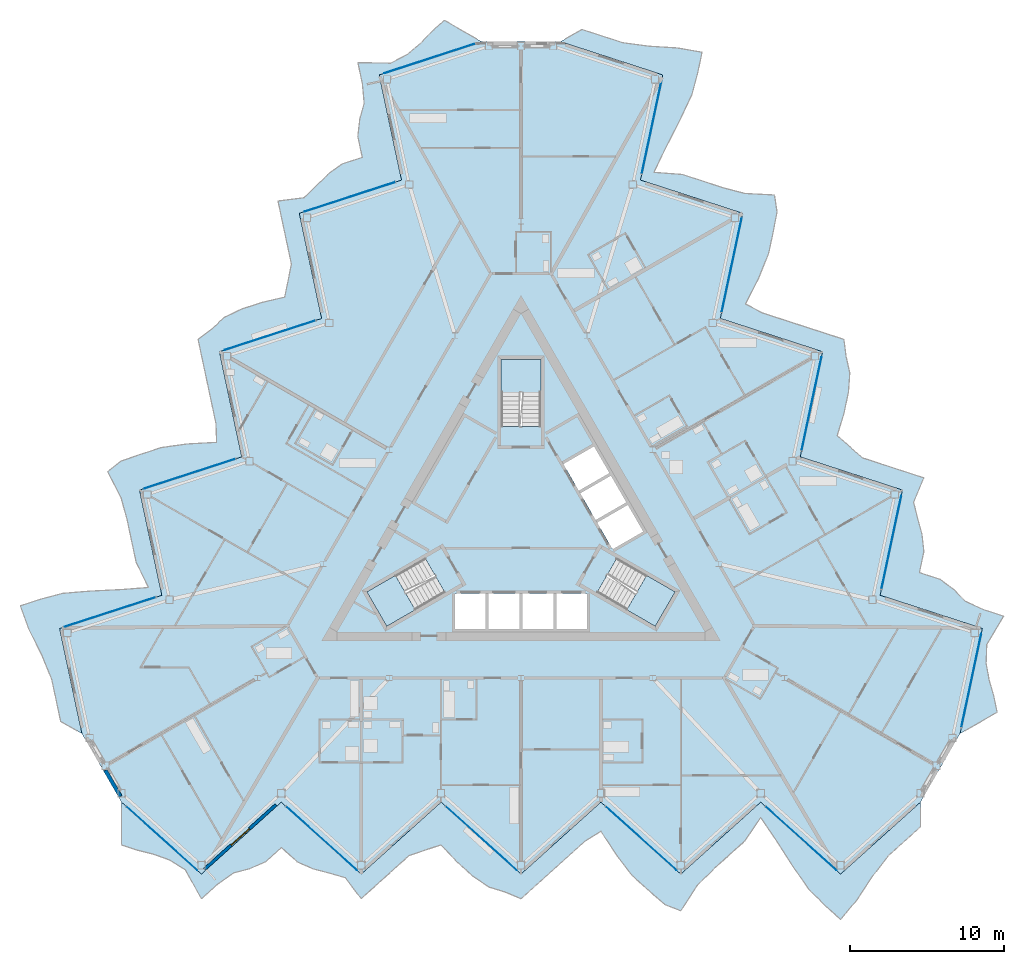
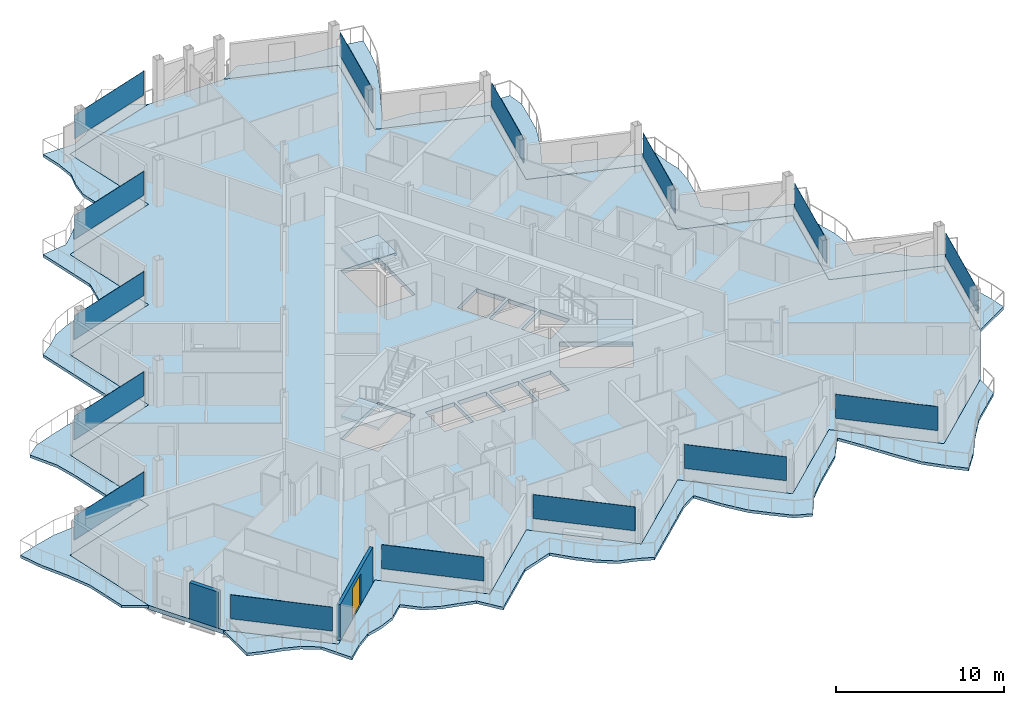
# One storey, part 11 of 26: 15 plates, 7 slabs, 2 walls, 1 door, 1 opening, 18 elements without a shape of their own.
"""IFC4 building model written with IfcOpenShell, lengths in metres."""

from ifc_helpers import new_model, si_unit, direction, frame, frame_2d, origin, origin_2d, place, context, subcontext, project, spatial, polyline, rectangle, outline, extrude, material, layer, layer_set, type_object, element, fill, aggregate, save


model = new_model("IFC4")

# Units and contexts
model_context = context("Model", 3, precision=1e-05, world=origin(), true_north=direction((0.0, 1.0)))
body_context = subcontext(model_context, "Body", "Model", "MODEL_VIEW")
ifc_project = project(units=[si_unit("LENGTHUNIT", "METRE"), si_unit("AREAUNIT", "SQUARE_METRE"), si_unit("VOLUMEUNIT", "CUBIC_METRE"), si_unit("PLANEANGLEUNIT", "RADIAN"), si_unit("MASSUNIT", "GRAM", prefix="KILO")], contexts=[model_context])

# Site, building, storey
site_placement = place(None, origin())
site = spatial("IfcSite", under=ifc_project, at=site_placement, CompositionType="ELEMENT")
building_placement = place(site_placement, origin())
building = spatial("IfcBuilding", under=site, at=building_placement, Name="Cormorant Prow Tower", CompositionType="ELEMENT")
storey_placement = place(building_placement, frame((0.0, 0.0, 374.60009765625)))
storey = spatial("IfcBuildingStorey", under=building, at=storey_placement, Name="L84", CompositionType="ELEMENT", Elevation=374.60009765625)

# Slabs
ifc_material_1 = material(Name="Concrete C40/50", Category="concrete")
ifc_layer_1 = layer(ifc_material_1, 0.199951171875)
ifc_layer_set_1 = layer_set([ifc_layer_1], Name="Concrete C40/50")
slab_type_1 = type_object("IfcSlabType", Name="Balcony slab 200", PredefinedType="FLOOR", material=ifc_layer_set_1)
slab_1_placement = place(storey_placement, frame((0.0, 0.0, -0.2001953125)))
element("IfcSlab", 1, at=slab_1_placement, inside=storey, type_object=slab_type_1, Name="Balcony slab S L84", PredefinedType="FLOOR", context=body_context, shape_type="SweptSolid", body=[
    extrude(outline(polyline([(-26.0, -17.9833984375), (-26.0, -20.767333984375), (-24.9599609375, -21.112060546875), (-23.919921875, -21.37060546875), (-22.8798828125, -21.74267578125), (-21.840087890625, -22.394775390625), (-20.800048828125, -24.265625), (-19.760009765625, -23.3291015625), (-18.719970703125, -22.5927734375), (-17.679931640625, -22.322021484375), (-16.639892578125, -21.869873046875), (-15.60009765625, -20.93359375), (-14.56005859375, -21.869873046875), (-13.52001953125, -22.32666015625), (-12.47998046875, -22.59814453125), (-11.43994140625, -22.8974609375), (-10.39990234375, -24.265625), (-9.360107421875, -23.3291015625), (-8.320068359375, -22.392822265625), (-7.280029296875, -21.456298828125), (-6.239990234375, -21.106689453125), (-5.199951171875, -20.763671875), (-4.159912109375, -21.869873046875), (-3.1201171875, -22.806396484375), (-2.080078125, -23.50927734375), (-1.0400390625, -23.8310546875), (0.0, -24.265625), (1.0400390625, -23.3291015625), (2.080078125, -22.392822265625), (3.1201171875, -21.456298828125), (4.159912109375, -20.52001953125), (5.199951171875, -19.87548828125), (6.239990234375, -21.466064453125), (7.280029296875, -22.806396484375), (8.320068359375, -23.74267578125), (9.360107421875, -24.645751953125), (10.39990234375, -25.052490234375), (11.43994140625, -23.443115234375), (12.47998046875, -22.392822265625), (13.52001953125, -21.456298828125), (14.56005859375, -20.52001953125), (15.60009765625, -18.9921875), (16.639892578125, -20.517578125), (17.679931640625, -22.132080078125), (18.719970703125, -23.6357421875), (19.760009765625, -24.67919921875), (20.800048828125, -25.61572265625), (21.840087890625, -24.373779296875), (22.8798828125, -22.80322265625), (23.919921875, -21.456298828125), (24.9599609375, -20.52001953125), (26.0, -19.58349609375), (26.0, -17.9833984375), (24.9599609375, -18.919921875), (23.919921875, -19.8564453125), (22.8798828125, -20.792724609375), (21.840087890625, -21.729248046875), (20.800048828125, -22.66552734375), (19.760009765625, -21.729248046875), (18.719970703125, -20.792724609375), (17.679931640625, -19.8564453125), (16.639892578125, -18.919921875), (15.60009765625, -17.9833984375), (14.56005859375, -18.919921875), (13.52001953125, -19.8564453125), (12.47998046875, -20.792724609375), (11.43994140625, -21.729248046875), (10.39990234375, -22.66552734375), (9.360107421875, -21.729248046875), (8.320068359375, -20.792724609375), (7.280029296875, -19.8564453125), (6.239990234375, -18.919921875), (5.199951171875, -17.9833984375), (4.159912109375, -18.919921875), (3.1201171875, -19.8564453125), (2.080078125, -20.792724609375), (1.0400390625, -21.729248046875), (0.0, -22.66552734375), (-1.0400390625, -21.729248046875), (-2.080078125, -20.792724609375), (-3.1201171875, -19.8564453125), (-4.159912109375, -18.919921875), (-5.199951171875, -17.9833984375), (-6.239990234375, -18.919921875), (-7.280029296875, -19.8564453125), (-8.320068359375, -20.792724609375), (-9.360107421875, -21.729248046875), (-10.39990234375, -22.66552734375), (-11.43994140625, -21.729248046875), (-12.47998046875, -20.792724609375), (-13.52001953125, -19.8564453125), (-14.56005859375, -18.919921875), (-15.60009765625, -17.9833984375), (-16.639892578125, -18.919921875), (-17.679931640625, -19.8564453125), (-18.719970703125, -20.792724609375), (-19.760009765625, -21.729248046875), (-20.800048828125, -22.66552734375), (-21.840087890625, -21.729248046875), (-22.8798828125, -20.792724609375), (-23.919921875, -19.8564453125), (-24.9599609375, -18.919921875), (-26.0, -17.9833984375)])), origin(), (0.0, 0.0, 1.0), 0.2001953125),
])
slab_2_placement = place(storey_placement, frame((0.0, 0.0, -0.2001953125)))
element("IfcSlab", 2, at=slab_2_placement, inside=storey, type_object=slab_type_1, Name="Balcony slab ENE L84", PredefinedType="FLOOR", context=body_context, shape_type="SweptSolid", body=[
    extrude(outline(polyline([(28.57421875, -13.52490234375), (30.985107421875, -12.133056640625), (30.763427734375, -11.06005859375), (30.467529296875, -10.030029296875), (30.269775390625, -8.943359375), (30.314453125, -7.716552734375), (31.41455078125, -5.880615234375), (30.083740234375, -5.447998046875), (28.926025390625, -4.91552734375), (28.17138671875, -4.150390625), (27.260009765625, -3.4755859375), (25.928955078125, -3.043212890625), (26.219970703125, -1.67431640625), (26.095458984375, -0.54541015625), (25.810546875, 0.490966796875), (25.5498046875, 1.54150390625), (26.214599609375, 3.126220703125), (24.883544921875, 3.55859375), (23.552734375, 3.990966796875), (22.2216796875, 4.423583984375), (21.39892578125, 5.1494140625), (20.581787109375, 5.87841796875), (21.02001953125, 7.332275390625), (21.310791015625, 8.701171875), (21.399658203125, 9.953369140625), (21.158203125, 11.014892578125), (21.0146484375, 12.1328125), (19.68359375, 12.565185546875), (18.352783203125, 12.997802734375), (17.021728515625, 13.43017578125), (15.690673828125, 13.862548828125), (14.61279296875, 14.441162109375), (15.47021484375, 16.136962890625), (16.11083984375, 17.707763671875), (16.40185546875, 19.07666015625), (16.663818359375, 20.428955078125), (16.49609375, 21.532958984375), (14.582275390625, 21.62890625), (13.152587890625, 22.00439453125), (11.82177734375, 22.436767578125), (10.49072265625, 22.869384765625), (8.647705078125, 23.006103515625), (9.44873046875, 24.66943359375), (10.326904296875, 26.377197265625), (11.109130859375, 28.02978515625), (11.492919921875, 29.4521484375), (11.78369140625, 30.821044921875), (10.188232421875, 31.100830078125), (8.308349609375, 31.21630859375), (6.621826171875, 31.443603515625), (5.290771484375, 31.8759765625), (3.959716796875, 32.308349609375), (2.57421875, 31.50830078125), (3.905029296875, 31.075927734375), (5.236083984375, 30.6435546875), (6.567138671875, 30.2109375), (7.89794921875, 29.778564453125), (9.22900390625, 29.34619140625), (8.93798828125, 27.977294921875), (8.64697265625, 26.6083984375), (8.356201171875, 25.239501953125), (8.065185546875, 23.87060546875), (7.774169921875, 22.501708984375), (9.105224609375, 22.0693359375), (10.43603515625, 21.63671875), (11.76708984375, 21.204345703125), (13.09814453125, 20.77197265625), (14.428955078125, 20.33935546875), (14.137939453125, 18.970703125), (13.84716796875, 17.601806640625), (13.55615234375, 16.23291015625), (13.26513671875, 14.864013671875), (12.97412109375, 13.4951171875), (14.30517578125, 13.062744140625), (15.635986328125, 12.630126953125), (16.967041015625, 12.19775390625), (18.298095703125, 11.76513671875), (19.62890625, 11.332763671875), (19.338134765625, 9.9638671875), (19.047119140625, 8.594970703125), (18.756103515625, 7.22607421875), (18.465087890625, 5.857177734375), (18.174072265625, 4.488525390625), (19.505126953125, 4.055908203125), (20.836181640625, 3.62353515625), (22.1669921875, 3.191162109375), (23.498046875, 2.758544921875), (24.8291015625, 2.326171875), (24.5380859375, 0.957275390625), (24.2470703125, -0.41162109375), (23.9560546875, -1.780517578125), (23.6650390625, -3.1494140625), (23.374267578125, -4.518310546875), (24.705078125, -4.95068359375), (26.0361328125, -5.383056640625), (27.366943359375, -5.815673828125), (28.697998046875, -6.248046875), (30.029052734375, -6.680419921875), (29.738037109375, -8.04931640625), (29.447021484375, -9.418212890625), (29.156005859375, -10.787109375), (28.865234375, -12.156005859375), (28.57421875, -13.52490234375)])), origin(), (0.0, 0.0, 1.0), 0.2001953125),
])
slab_3_placement = place(storey_placement, frame((0.0, 0.0, -0.2001953125)))
element("IfcSlab", 3, at=slab_3_placement, inside=storey, type_object=slab_type_1, Name="Balcony slab WNW L84", PredefinedType="FLOOR", context=body_context, shape_type="SweptSolid", body=[
    extrude(outline(polyline([(-2.57421875, 31.50830078125), (-4.985107421875, 32.900390625), (-5.803466796875, 32.171875), (-6.54736328125, 31.400634765625), (-7.389892578125, 30.68603515625), (-8.474365234375, 30.111328125), (-10.61474609375, 30.146240234375), (-10.32373046875, 28.77734375), (-10.2060546875, 27.50830078125), (-10.491455078125, 26.472412109375), (-10.619873046875, 25.345703125), (-10.328857421875, 23.976806640625), (-11.659912109375, 23.544189453125), (-12.575439453125, 22.8720703125), (-13.33056640625, 22.107177734375), (-14.10986328125, 21.35595703125), (-15.814697265625, 21.139404296875), (-15.523681640625, 19.7705078125), (-15.232666015625, 18.401611328125), (-14.941650390625, 17.03271484375), (-15.158935546875, 15.95751953125), (-15.3818359375, 14.88525390625), (-16.85986328125, 14.53759765625), (-18.19091796875, 14.105224609375), (-19.319580078125, 13.555908203125), (-20.1181640625, 12.816162109375), (-21.0146484375, 12.1328125), (-20.7236328125, 10.763916015625), (-20.4326171875, 9.39501953125), (-20.141845703125, 8.026123046875), (-19.850830078125, 6.6572265625), (-19.812744140625, 5.434326171875), (-21.710205078125, 5.3291015625), (-23.390869140625, 5.098388671875), (-24.721923828125, 4.666015625), (-26.02392578125, 4.216796875), (-26.896240234375, 3.51953125), (-26.022216796875, 1.814208984375), (-25.6328125, 0.388427734375), (-25.341796875, -0.98046875), (-25.05078125, -2.349365234375), (-24.24755859375, -4.013916015625), (-26.088623046875, -4.15185546875), (-28.0068359375, -4.245361328125), (-29.8291015625, -4.39404296875), (-31.252685546875, -4.77294921875), (-32.583740234375, -5.20556640625), (-32.0283203125, -6.72705078125), (-31.188232421875, -8.4130859375), (-30.541748046875, -9.987060546875), (-30.250732421875, -11.35595703125), (-29.959716796875, -12.724853515625), (-28.57421875, -13.52490234375), (-28.865234375, -12.156005859375), (-29.156005859375, -10.787109375), (-29.447021484375, -9.418212890625), (-29.738037109375, -8.04931640625), (-30.029052734375, -6.680419921875), (-28.697998046875, -6.248046875), (-27.366943359375, -5.815673828125), (-26.0361328125, -5.383056640625), (-24.705078125, -4.95068359375), (-23.374267578125, -4.518310546875), (-23.6650390625, -3.1494140625), (-23.9560546875, -1.780517578125), (-24.2470703125, -0.41162109375), (-24.5380859375, 0.957275390625), (-24.8291015625, 2.326171875), (-23.498046875, 2.758544921875), (-22.1669921875, 3.191162109375), (-20.836181640625, 3.62353515625), (-19.505126953125, 4.055908203125), (-18.174072265625, 4.488525390625), (-18.465087890625, 5.857177734375), (-18.756103515625, 7.22607421875), (-19.047119140625, 8.594970703125), (-19.338134765625, 9.9638671875), (-19.62890625, 11.332763671875), (-18.298095703125, 11.76513671875), (-16.967041015625, 12.19775390625), (-15.635986328125, 12.630126953125), (-14.30517578125, 13.062744140625), (-12.97412109375, 13.4951171875), (-13.26513671875, 14.864013671875), (-13.55615234375, 16.23291015625), (-13.84716796875, 17.601806640625), (-14.137939453125, 18.970703125), (-14.428955078125, 20.33935546875), (-13.09814453125, 20.77197265625), (-11.76708984375, 21.204345703125), (-10.43603515625, 21.63671875), (-9.105224609375, 22.0693359375), (-7.774169921875, 22.501708984375), (-8.065185546875, 23.87060546875), (-8.356201171875, 25.239501953125), (-8.64697265625, 26.6083984375), (-8.93798828125, 27.977294921875), (-9.22900390625, 29.34619140625), (-7.89794921875, 29.778564453125), (-6.567138671875, 30.2109375), (-5.236083984375, 30.6435546875), (-3.905029296875, 31.075927734375), (-2.57421875, 31.50830078125)])), origin(), (0.0, 0.0, 1.0), 0.2001953125),
])
ifc_material_2 = material(Name="Concrete C40/50", Category="concrete")
ifc_layer_2 = layer(ifc_material_2, 0.300048828125)
ifc_layer_set_2 = layer_set([ifc_layer_2], Name="Concrete C40/50")
slab_type_2 = type_object("IfcSlabType", Name="Post-tensioned flat slab 300", PredefinedType="FLOOR", material=ifc_layer_set_2)
slab_4_placement = place(storey_placement, frame((0.0, 0.0, -0.300048828125)))
element("IfcSlab", 4, at=slab_4_placement, inside=storey, type_object=slab_type_2, Name="Floor slab L84", PredefinedType="FLOOR", context=body_context, shape_type="SweptSolid", body=[
    extrude(outline(polyline([(-7.774169921875, 22.501708984375), (-14.428955078125, 20.33935546875), (-12.97412109375, 13.4951171875), (-19.62890625, 11.332763671875), (-18.174072265625, 4.488525390625), (-24.8291015625, 2.326171875), (-23.374267578125, -4.518310546875), (-30.029052734375, -6.680419921875), (-28.57421875, -13.52490234375), (-27.287109375, -15.754150390625), (-26.0, -17.9833984375), (-20.800048828125, -22.66552734375), (-15.60009765625, -17.9833984375), (-10.39990234375, -22.66552734375), (-5.199951171875, -17.9833984375), (0.0, -22.66552734375), (5.199951171875, -17.9833984375), (10.39990234375, -22.66552734375), (15.60009765625, -17.9833984375), (20.800048828125, -22.66552734375), (26.0, -17.9833984375), (27.287109375, -15.754150390625), (28.57421875, -13.52490234375), (30.029052734375, -6.680419921875), (23.374267578125, -4.518310546875), (24.8291015625, 2.326171875), (18.174072265625, 4.488525390625), (19.62890625, 11.332763671875), (12.97412109375, 13.4951171875), (14.428955078125, 20.33935546875), (7.774169921875, 22.501708984375), (9.22900390625, 29.34619140625), (2.57421875, 31.50830078125), (0.0, 31.50830078125), (-2.57421875, 31.50830078125), (-9.22900390625, 29.34619140625), (-7.774169921875, 22.501708984375)]), holes=[polyline([(-4.300048828125, -4.39990234375), (-2.300048828125, -4.39990234375), (-2.300048828125, -6.699951171875), (-4.300048828125, -6.699951171875), (-4.300048828125, -4.39990234375)]), polyline([(-0.10009765625, -4.39990234375), (-0.10009765625, -6.699951171875), (-2.10009765625, -6.699951171875), (-2.10009765625, -4.39990234375), (-0.10009765625, -4.39990234375)]), polyline([(2.10009765625, -6.699951171875), (0.10009765625, -6.699951171875), (0.10009765625, -4.39990234375), (2.10009765625, -4.39990234375), (2.10009765625, -6.699951171875)]), polyline([(2.300048828125, -6.699951171875), (2.300048828125, -4.39990234375), (4.300048828125, -4.39990234375), (4.300048828125, -6.699951171875), (2.300048828125, -6.699951171875)]), polyline([(5.96044921875, -1.52392578125), (4.96044921875, 0.2080078125), (6.952392578125, 1.358154296875), (7.952392578125, -0.373779296875), (5.96044921875, -1.52392578125)]), polyline([(3.860595703125, 2.11328125), (5.852294921875, 3.263427734375), (6.852294921875, 1.53125), (4.860595703125, 0.38134765625), (3.860595703125, 2.11328125)]), polyline([(4.75244140625, 5.168701171875), (5.75244140625, 3.4365234375), (3.760498046875, 2.28662109375), (2.760498046875, 4.018798828125), (4.75244140625, 5.168701171875)]), polyline([(-4.947509765625, -4.3505859375), (-8.738037109375, -6.5390625), (-10.031982421875, -4.2978515625), (-6.241455078125, -2.109375), (-4.947509765625, -4.3505859375)]), polyline([(10.031982421875, -4.2978515625), (8.738037109375, -6.5390625), (4.947509765625, -4.3505859375), (6.241455078125, -2.109375), (10.031982421875, -4.2978515625)]), polyline([(1.2939453125, 10.8369140625), (1.2939453125, 6.459716796875), (-1.2939453125, 6.459716796875), (-1.2939453125, 10.8369140625), (1.2939453125, 10.8369140625)])]), origin(), (0.0, 0.0, 1.0), 0.300048828125),
])

# Curtain wall, plate
ifc_material_3 = material(Name="Aluminium 6063-T6", Category="aluminium")
ifc_layer_3 = layer(ifc_material_3, 0.159912109375)
ifc_layer_set_3 = layer_set([ifc_layer_3], Name="Aluminium 6063-T6")
curtain_wall_type = type_object("IfcCurtainWallType", Name="Residential unitised curtain wall 160", PredefinedType="NOTDEFINED", material=ifc_layer_set_3)
curtain_wall_1_placement = place(storey_placement, origin())
curtain_wall_1 = element("IfcCurtainWall", 5, at=curtain_wall_1_placement, inside=storey, type_object=curtain_wall_type, Name="Residential curtain wall S00", PredefinedType="NOTDEFINED")
ifc_material_4 = material(Name="Clear glass", Category="glass")
ifc_layer_4 = layer(ifc_material_4, 0.02392578125)
ifc_layer_set_4 = layer_set([ifc_layer_4], Name="Clear glass")
plate_type = type_object("IfcPlateType", Name="Residential glass panel 24", PredefinedType="CURTAIN_PANEL", material=ifc_layer_set_4)
plate_1_placement = place(storey_placement, frame((-23.38134765625, -20.34130859375, 0.89990234375), z_axis=(0.0, 0.0, 1.0), x_axis=(0.743144827638, -0.669130603959, 0.0)))
plate_1 = element("IfcPlate", 6, at=plate_1_placement, type_object=plate_type, Name="Residential glass panel S00", PredefinedType="CURTAIN_PANEL", context=body_context, shape_type="SweptSolid", body=[
    extrude(rectangle(XDim=6.21533203125, YDim=0.02392578125, at=origin_2d()), origin(), (0.0, 0.0, 1.0), 1.73388671875),
])
aggregate(curtain_wall_1, [plate_1])

curtain_wall_2_placement = place(storey_placement, origin())
curtain_wall_2 = element("IfcCurtainWall", 7, at=curtain_wall_2_placement, inside=storey, type_object=curtain_wall_type, Name="Residential curtain wall S02", PredefinedType="NOTDEFINED")
plate_2_placement = place(storey_placement, frame((-12.9814453125, -20.34130859375, 0.89990234375), z_axis=(0.0, 0.0, 1.0), x_axis=(0.743144827638, -0.669130603959, 0.0)))
plate_2 = element("IfcPlate", 8, at=plate_2_placement, type_object=plate_type, Name="Residential glass panel S02", PredefinedType="CURTAIN_PANEL", context=body_context, shape_type="SweptSolid", body=[
    extrude(rectangle(XDim=6.21533203125, YDim=0.02392578125, at=origin_2d()), origin(), (0.0, 0.0, 1.0), 1.73388671875),
])
aggregate(curtain_wall_2, [plate_2])

curtain_wall_3_placement = place(storey_placement, origin())
curtain_wall_3 = element("IfcCurtainWall", 9, at=curtain_wall_3_placement, inside=storey, type_object=curtain_wall_type, Name="Residential curtain wall S04", PredefinedType="NOTDEFINED")
plate_3_placement = place(storey_placement, frame((-2.58154296875, -20.34130859375, 0.89990234375), z_axis=(0.0, 0.0, 1.0), x_axis=(0.743144827638, -0.669130603959, 0.0)))
plate_3 = element("IfcPlate", 10, at=plate_3_placement, type_object=plate_type, Name="Residential glass panel S04", PredefinedType="CURTAIN_PANEL", context=body_context, shape_type="SweptSolid", body=[
    extrude(rectangle(XDim=6.21533203125, YDim=0.02392578125, at=origin_2d()), origin(), (0.0, 0.0, 1.0), 1.73388671875),
])
aggregate(curtain_wall_3, [plate_3])

curtain_wall_4_placement = place(storey_placement, origin())
curtain_wall_4 = element("IfcCurtainWall", 11, at=curtain_wall_4_placement, inside=storey, type_object=curtain_wall_type, Name="Residential curtain wall S06", PredefinedType="NOTDEFINED")
plate_4_placement = place(storey_placement, frame((7.818603515625, -20.34130859375, 0.89990234375), z_axis=(0.0, 0.0, 1.0), x_axis=(0.743144827638, -0.669130603959, 0.0)))
plate_4 = element("IfcPlate", 12, at=plate_4_placement, type_object=plate_type, Name="Residential glass panel S06", PredefinedType="CURTAIN_PANEL", context=body_context, shape_type="SweptSolid", body=[
    extrude(rectangle(XDim=6.21533203125, YDim=0.02392578125, at=origin_2d()), origin(), (0.0, 0.0, 1.0), 1.73388671875),
])
aggregate(curtain_wall_4, [plate_4])

curtain_wall_5_placement = place(storey_placement, origin())
curtain_wall_5 = element("IfcCurtainWall", 13, at=curtain_wall_5_placement, inside=storey, type_object=curtain_wall_type, Name="Residential curtain wall S08", PredefinedType="NOTDEFINED")
plate_5_placement = place(storey_placement, frame((18.218505859375, -20.34130859375, 0.89990234375), z_axis=(0.0, 0.0, 1.0), x_axis=(0.743144827638, -0.669130603959, 0.0)))
plate_5 = element("IfcPlate", 14, at=plate_5_placement, type_object=plate_type, Name="Residential glass panel S08", PredefinedType="CURTAIN_PANEL", context=body_context, shape_type="SweptSolid", body=[
    extrude(rectangle(XDim=6.21533203125, YDim=0.02392578125, at=origin_2d()), origin(), (0.0, 0.0, 1.0), 1.73388671875),
])
aggregate(curtain_wall_5, [plate_5])

curtain_wall_6_placement = place(storey_placement, origin())
curtain_wall_6 = element("IfcCurtainWall", 15, at=curtain_wall_6_placement, inside=storey, type_object=curtain_wall_type, Name="Residential curtain wall ENE00", PredefinedType="NOTDEFINED")
plate_6_placement = place(storey_placement, frame((29.306884765625, -10.078369140625, 0.89990234375), z_axis=(0.0, 0.0, 1.0), x_axis=(0.207911620089, 0.978147615768, 0.0)))
plate_6 = element("IfcPlate", 16, at=plate_6_placement, type_object=plate_type, Name="Residential glass panel ENE00", PredefinedType="CURTAIN_PANEL", context=body_context, shape_type="SweptSolid", body=[
    extrude(rectangle(XDim=6.21533203125, YDim=0.02392578125, at=origin_2d()), origin(), (0.0, 0.0, 1.0), 1.73388671875),
])
aggregate(curtain_wall_6, [plate_6])

curtain_wall_7_placement = place(storey_placement, origin())
curtain_wall_7 = element("IfcCurtainWall", 17, at=curtain_wall_7_placement, inside=storey, type_object=curtain_wall_type, Name="Residential curtain wall ENE02", PredefinedType="NOTDEFINED")
plate_7_placement = place(storey_placement, frame((24.106689453125, -1.071533203125, 0.89990234375), z_axis=(0.0, 0.0, 1.0), x_axis=(0.207911649162, 0.978147609588, 0.0)))
plate_7 = element("IfcPlate", 18, at=plate_7_placement, type_object=plate_type, Name="Residential glass panel ENE02", PredefinedType="CURTAIN_PANEL", context=body_context, shape_type="SweptSolid", body=[
    extrude(rectangle(XDim=6.21533203125, YDim=0.02392578125, at=origin_2d()), origin(), (0.0, 0.0, 1.0), 1.73388671875),
])
aggregate(curtain_wall_7, [plate_7])

curtain_wall_8_placement = place(storey_placement, origin())
curtain_wall_8 = element("IfcCurtainWall", 19, at=curtain_wall_8_placement, inside=storey, type_object=curtain_wall_type, Name="Residential curtain wall ENE04", PredefinedType="NOTDEFINED")
plate_8_placement = place(storey_placement, frame((18.90673828125, 7.93505859375, 0.89990234375), z_axis=(0.0, 0.0, 1.0), x_axis=(0.207911620089, 0.978147615768, 0.0)))
plate_8 = element("IfcPlate", 20, at=plate_8_placement, type_object=plate_type, Name="Residential glass panel ENE04", PredefinedType="CURTAIN_PANEL", context=body_context, shape_type="SweptSolid", body=[
    extrude(rectangle(XDim=6.21533203125, YDim=0.02392578125, at=origin_2d()), origin(), (0.0, 0.0, 1.0), 1.73388671875),
])
aggregate(curtain_wall_8, [plate_8])

curtain_wall_9_placement = place(storey_placement, origin())
curtain_wall_9 = element("IfcCurtainWall", 21, at=curtain_wall_9_placement, inside=storey, type_object=curtain_wall_type, Name="Residential curtain wall ENE06", PredefinedType="NOTDEFINED")
plate_9_placement = place(storey_placement, frame((13.706787109375, 16.941650390625, 0.89990234375), z_axis=(0.0, 0.0, 1.0), x_axis=(0.207911620089, 0.978147615768, 0.0)))
plate_9 = element("IfcPlate", 22, at=plate_9_placement, type_object=plate_type, Name="Residential glass panel ENE06", PredefinedType="CURTAIN_PANEL", context=body_context, shape_type="SweptSolid", body=[
    extrude(rectangle(XDim=6.21533203125, YDim=0.02392578125, at=origin_2d()), origin(), (0.0, 0.0, 1.0), 1.73388671875),
])
aggregate(curtain_wall_9, [plate_9])

curtain_wall_10_placement = place(storey_placement, origin())
curtain_wall_10 = element("IfcCurtainWall", 23, at=curtain_wall_10_placement, inside=storey, type_object=curtain_wall_type, Name="Residential curtain wall ENE08", PredefinedType="NOTDEFINED")
plate_10_placement = place(storey_placement, frame((8.5068359375, 25.948486328125, 0.89990234375), z_axis=(0.0, 0.0, 1.0), x_axis=(0.207911649162, 0.978147609588, 0.0)))
plate_10 = element("IfcPlate", 24, at=plate_10_placement, type_object=plate_type, Name="Residential glass panel ENE08", PredefinedType="CURTAIN_PANEL", context=body_context, shape_type="SweptSolid", body=[
    extrude(rectangle(XDim=6.21533203125, YDim=0.02392578125, at=origin_2d()), origin(), (0.0, 0.0, 1.0), 1.73388671875),
])
aggregate(curtain_wall_10, [plate_10])

curtain_wall_11_placement = place(storey_placement, origin())
curtain_wall_11 = element("IfcCurtainWall", 25, at=curtain_wall_11_placement, inside=storey, type_object=curtain_wall_type, Name="Residential curtain wall WNW00", PredefinedType="NOTDEFINED")
plate_11_placement = place(storey_placement, frame((-5.92529296875, 30.41943359375, 0.89990234375), z_axis=(0.0, 0.0, 1.0), x_axis=(-0.951056506549, -0.309017024369, 0.0)))
plate_11 = element("IfcPlate", 26, at=plate_11_placement, type_object=plate_type, Name="Residential glass panel WNW00", PredefinedType="CURTAIN_PANEL", context=body_context, shape_type="SweptSolid", body=[
    extrude(rectangle(XDim=6.21533203125, YDim=0.02392578125, at=origin_2d()), origin(), (0.0, 0.0, 1.0), 1.73388671875),
])
aggregate(curtain_wall_11, [plate_11])

curtain_wall_12_placement = place(storey_placement, origin())
curtain_wall_12 = element("IfcCurtainWall", 27, at=curtain_wall_12_placement, inside=storey, type_object=curtain_wall_type, Name="Residential curtain wall WNW02", PredefinedType="NOTDEFINED")
plate_12_placement = place(storey_placement, frame((-11.125244140625, 21.412841796875, 0.89990234375), z_axis=(0.0, 0.0, 1.0), x_axis=(-0.951056492904, -0.309017066365, 0.0)))
plate_12 = element("IfcPlate", 28, at=plate_12_placement, type_object=plate_type, Name="Residential glass panel WNW02", PredefinedType="CURTAIN_PANEL", context=body_context, shape_type="SweptSolid", body=[
    extrude(rectangle(XDim=6.21533203125, YDim=0.02392578125, at=origin_2d()), origin(), (0.0, 0.0, 1.0), 1.73388671875),
])
aggregate(curtain_wall_12, [plate_12])

curtain_wall_13_placement = place(storey_placement, origin())
curtain_wall_13 = element("IfcCurtainWall", 29, at=curtain_wall_13_placement, inside=storey, type_object=curtain_wall_type, Name="Residential curtain wall WNW04", PredefinedType="NOTDEFINED")
plate_13_placement = place(storey_placement, frame((-16.325439453125, 12.40625, 0.89990234375), z_axis=(0.0, 0.0, 1.0), x_axis=(-0.951056534902, -0.309016937108, 0.0)))
plate_13 = element("IfcPlate", 30, at=plate_13_placement, type_object=plate_type, Name="Residential glass panel WNW04", PredefinedType="CURTAIN_PANEL", context=body_context, shape_type="SweptSolid", body=[
    extrude(rectangle(XDim=6.21533203125, YDim=0.02392578125, at=origin_2d()), origin(), (0.0, 0.0, 1.0), 1.73388671875),
])
aggregate(curtain_wall_13, [plate_13])

curtain_wall_14_placement = place(storey_placement, origin())
curtain_wall_14 = element("IfcCurtainWall", 31, at=curtain_wall_14_placement, inside=storey, type_object=curtain_wall_type, Name="Residential curtain wall WNW06", PredefinedType="NOTDEFINED")
plate_14_placement = place(storey_placement, frame((-21.525390625, 3.399658203125, 0.89990234375), z_axis=(0.0, 0.0, 1.0), x_axis=(-0.951056492904, -0.309017066365, 0.0)))
plate_14 = element("IfcPlate", 32, at=plate_14_placement, type_object=plate_type, Name="Residential glass panel WNW06", PredefinedType="CURTAIN_PANEL", context=body_context, shape_type="SweptSolid", body=[
    extrude(rectangle(XDim=6.21533203125, YDim=0.02392578125, at=origin_2d()), origin(), (0.0, 0.0, 1.0), 1.73388671875),
])
aggregate(curtain_wall_14, [plate_14])

curtain_wall_15_placement = place(storey_placement, origin())
curtain_wall_15 = element("IfcCurtainWall", 33, at=curtain_wall_15_placement, inside=storey, type_object=curtain_wall_type, Name="Residential curtain wall WNW08", PredefinedType="NOTDEFINED")
plate_15_placement = place(storey_placement, frame((-26.725341796875, -5.607177734375, 0.89990234375), z_axis=(0.0, 0.0, 1.0), x_axis=(-0.951056492904, -0.309017066365, 0.0)))
plate_15 = element("IfcPlate", 34, at=plate_15_placement, type_object=plate_type, Name="Residential glass panel WNW08", PredefinedType="CURTAIN_PANEL", context=body_context, shape_type="SweptSolid", body=[
    extrude(rectangle(XDim=6.21533203125, YDim=0.02392578125, at=origin_2d()), origin(), (0.0, 0.0, 1.0), 1.73388671875),
])
aggregate(curtain_wall_15, [plate_15])

# Stair, slab
ifc_material_5 = material(Name="Exit stair 18 risers")
stair_type = type_object("IfcStairType", Name="Exit stair 18 risers", PredefinedType="HALF_TURN_STAIR", material=ifc_material_5)
stair_1_placement = place(storey_placement, origin())
stair_1 = element("IfcStair", 35, at=stair_1_placement, inside=storey, type_object=stair_type, Name="L84 Exit stair ST1", PredefinedType="HALF_TURN_STAIR")
ifc_material_6 = material(Name="Concrete 5000 psi", Category="concrete")
ifc_layer_5 = layer(ifc_material_6, 0.199951171875)
ifc_layer_set_5 = layer_set([ifc_layer_5], Name="Concrete 5000 psi")
slab_type_3 = type_object("IfcSlabType", Name="Stair landing 200", PredefinedType="LANDING", material=ifc_layer_set_5)
slab_5_placement = place(storey_placement, frame((0.0, 0.0, 1.5)))
slab_5 = element("IfcSlab", 36, at=slab_5_placement, type_object=slab_type_3, Name="ST1 landing 1", PredefinedType="LANDING", context=body_context, shape_type="SweptSolid", body=[
    extrude(outline(polyline([(-8.17431640625, -3.225341796875), (-10.031982421875, -4.2978515625), (-8.738037109375, -6.5390625), (-6.88037109375, -5.466552734375), (-8.17431640625, -3.225341796875)])), origin(), (0.0, 0.0, 1.0), 0.199951171875),
])
aggregate(stair_1, [slab_5])

stair_2_placement = place(storey_placement, origin())
stair_2 = element("IfcStair", 37, at=stair_2_placement, inside=storey, type_object=stair_type, Name="L84 Exit stair ST2", PredefinedType="HALF_TURN_STAIR")
slab_6_placement = place(storey_placement, frame((0.0, 0.0, 1.5)))
slab_6 = element("IfcSlab", 38, at=slab_6_placement, type_object=slab_type_3, Name="ST2 landing 1", PredefinedType="LANDING", context=body_context, shape_type="SweptSolid", body=[
    extrude(outline(polyline([(6.88037109375, -5.466552734375), (8.738037109375, -6.5390625), (10.031982421875, -4.2978515625), (8.17431640625, -3.225341796875), (6.88037109375, -5.466552734375)])), origin(), (0.0, 0.0, 1.0), 0.199951171875),
])
aggregate(stair_2, [slab_6])

stair_3_placement = place(storey_placement, origin())
stair_3 = element("IfcStair", 39, at=stair_3_placement, inside=storey, type_object=stair_type, Name="L84 Exit stair ST3", PredefinedType="HALF_TURN_STAIR")
slab_7_placement = place(storey_placement, frame((0.0, 0.0, 1.5)))
slab_7 = element("IfcSlab", 40, at=slab_7_placement, type_object=slab_type_3, Name="ST3 landing 1", PredefinedType="LANDING", context=body_context, shape_type="SweptSolid", body=[
    extrude(outline(polyline([(1.2939453125, 8.69189453125), (1.2939453125, 10.8369140625), (-1.2939453125, 10.8369140625), (-1.2939453125, 8.69189453125), (1.2939453125, 8.69189453125)])), origin(), (0.0, 0.0, 1.0), 0.199951171875),
])
aggregate(stair_3, [slab_7])

# Wall
ifc_material_7 = material(Name="Terracotta", Category="masonry")
ifc_layer_6 = layer(ifc_material_7, 0.25)
ifc_layer_set_6 = layer_set([ifc_layer_6], Name="Terracotta")
wall_type_1 = type_object("IfcWallType", Name="Terracotta bay wall 250", PredefinedType="SOLIDWALL", material=ifc_layer_set_6)
wall_1_placement = place(storey_placement, frame((-27.052978515625, -15.90966796875, 0.0), z_axis=(0.0, 0.0, 1.0), x_axis=(0.500017700655, -0.866015184065, 0.0)))
element("IfcWall", 41, at=wall_1_placement, inside=storey, type_object=wall_type_1, Name="Terracotta bay wall WSW01", PredefinedType="SOLIDWALL", context=body_context, shape_type="SweptSolid", body=[
    extrude(rectangle(XDim=1.95654296875, YDim=0.25, at=frame_2d((0.978271484375, 0.0))), origin(), (0.0, 0.0, 1.0), 2.6337890625),
])

# Wall, opening, door
ifc_material_8 = material(Name="Terracotta", Category="masonry")
ifc_layer_7 = layer(ifc_material_8, 0.199951171875)
ifc_layer_set_7 = layer_set([ifc_layer_7], Name="Terracotta")
wall_type_2 = type_object("IfcWallType", Name="Terracotta jamb wall 200", PredefinedType="SOLIDWALL", material=ifc_layer_set_7)
wall_2_placement = place(storey_placement, frame((-20.594970703125, -22.346435546875, 0.0), z_axis=(0.0, 0.0, 1.0), x_axis=(0.743137181878, 0.669139095339, 0.0)))
wall_2 = element("IfcWall", 42, at=wall_2_placement, inside=storey, type_object=wall_type_2, Name="Terracotta jamb wall S01", PredefinedType="SOLIDWALL", context=body_context, shape_type="SweptSolid", body=[
    extrude(rectangle(XDim=6.265380859375, YDim=0.199951171875, at=frame_2d((3.1328125, 0.0))), origin(), (0.0, 0.0, 1.0), 2.6337890625),
])
opening_placement = place(wall_2_placement, frame((2.332763671875, 0.0, 0.0)))
opening = element("IfcOpeningElement", 43, at=opening_placement, cuts=wall_2, Name="Opening ED84.01", PredefinedType="OPENING", context=body_context, shape_type="SweptSolid", body=[
    extrude(rectangle(XDim=1.60009765625, YDim=2.25, at=frame_2d((0.800048828125, 1.125))), frame((0.0, 0.10986328125, 0.0), z_axis=(0.0, -1.0, 0.0), x_axis=(1.0, 0.0, 0.0)), (0.0, 0.0, 1.0), 0.219970703125),
])
ifc_material_9 = material(Name="Aluminium 6063-T6", Category="aluminium")
door_type = type_object("IfcDoorType", Name="Balcony door 1600x2250", OperationType="DOUBLE_DOOR_SINGLE_SWING", PredefinedType="DOOR", material=ifc_material_9)
door_placement = place(opening_placement, origin())
door = element("IfcDoor", 44, at=door_placement, inside=storey, type_object=door_type, Name="Balcony door S01 ED84.01", OperationType="DOUBLE_DOOR_SINGLE_SWING", OverallHeight=2.25, OverallWidth=1.60009765625, PredefinedType="DOOR", context=body_context, shape_type="SweptSolid", body=[
    extrude(rectangle(XDim=1.60009765625, YDim=2.25, at=frame_2d((0.800048828125, 1.125))), frame((0.0, 0.02490234375, 0.0), z_axis=(0.0, -1.0, 0.0), x_axis=(1.0, 0.0, 0.0)), (0.0, 0.0, 1.0), 0.050048828125),
])
fill(opening, door)

save(model, "model.ifc")
